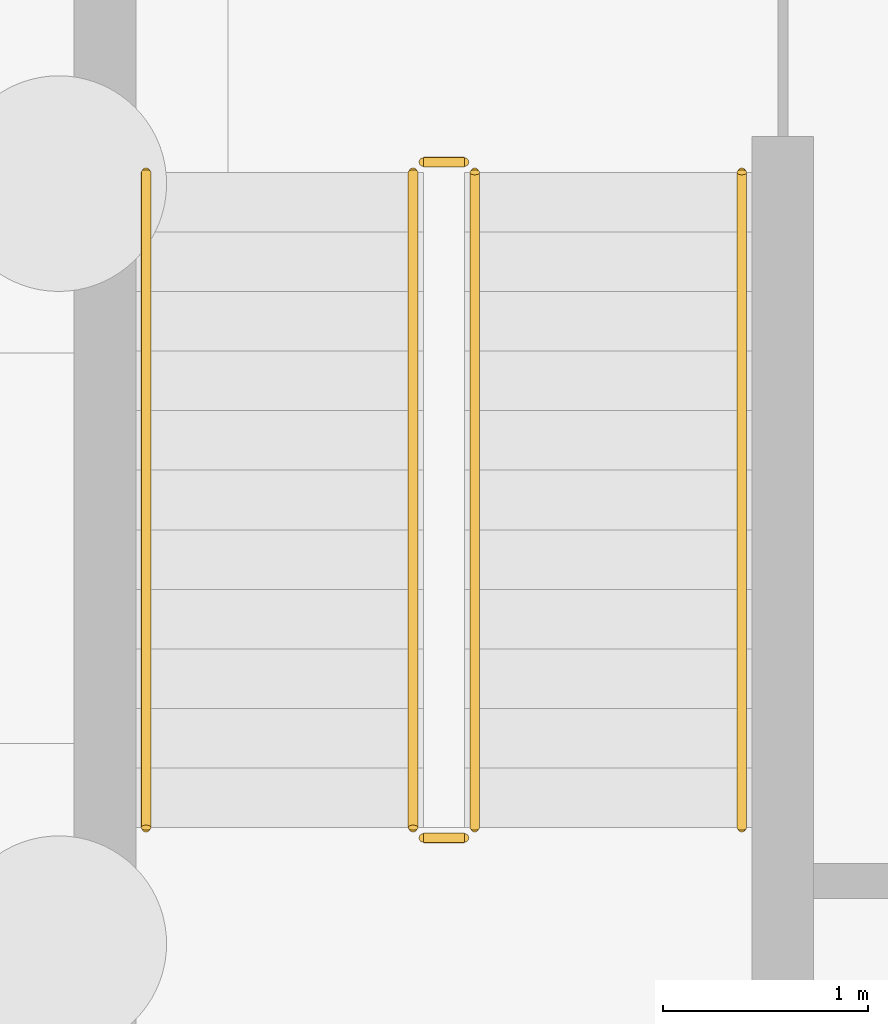
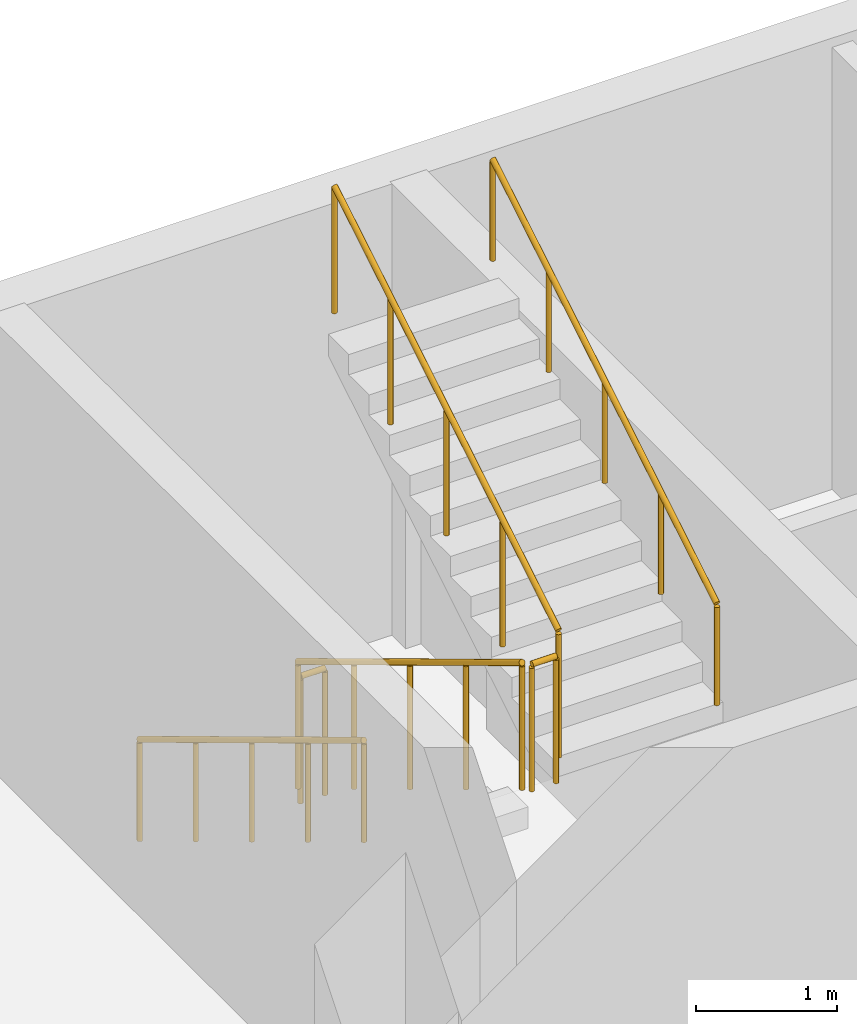
# One storey, part 35 of 36: 6 railings.
"""IFC4 building model written with IfcOpenShell, lengths in metres."""

from ifc_helpers import new_model, si_unit, derived_unit, direction, frame, origin, origin_2d, place, context, subcontext, project, spatial, circle, extrude, material, type_object, element, save


model = new_model("IFC4")

# Units and contexts
model_context = context("Model", 3, precision=1e-05, world=origin(), true_north=direction((0.0, 1.0)))
body_context = subcontext(model_context, "Body", "Model", "MODEL_VIEW")
ifc_project = project(units=[si_unit("LENGTHUNIT", "METRE"), si_unit("AREAUNIT", "SQUARE_METRE"), si_unit("VOLUMEUNIT", "CUBIC_METRE"), si_unit("PLANEANGLEUNIT", "RADIAN"), si_unit("MASSUNIT", "GRAM", prefix="KILO"), derived_unit("THERMALTRANSMITTANCEUNIT", [(si_unit("MASSUNIT", "GRAM", prefix="KILO"), 1), (si_unit("TIMEUNIT", "SECOND"), -3), (si_unit("THERMODYNAMICTEMPERATUREUNIT", "KELVIN"), -1)])], contexts=[model_context])

# Site, building, storey
site_placement = place(None, origin())
site = spatial("IfcSite", under=ifc_project, at=site_placement, CompositionType="ELEMENT")
building_placement = place(site_placement, origin())
building = spatial("IfcBuilding", under=site, at=building_placement, Name="Ochrekiln Boulevard Commons", CompositionType="ELEMENT")
storey_placement = place(building_placement, frame((0.0, 0.0, -4.199951171875)))
storey = spatial("IfcBuildingStorey", under=building, at=storey_placement, Name="B1", CompositionType="ELEMENT", Elevation=-4.199951171875)

# Railings
ifc_material = material(Name="Brushed stainless steel 316 tubular railing", Category="steel")
railing_type_1 = type_object("IfcRailingType", Name="RLG-HDR-900", PredefinedType="HANDRAIL", material=ifc_material)
railing_1_placement = place(storey_placement, frame((157.64990234375, 116.929931640625, 0.175048828125)))
element("IfcRailing", 1, at=railing_1_placement, inside=storey, type_object=railing_type_1, Name="B1 ST-B2 stair handrail 1", PredefinedType="HANDRAIL", context=body_context, shape_type="SweptSolid", body=[
    extrude(circle(Radius=0.02392578125, at=origin_2d()), frame((0.0, 0.0, 0.8759765625), z_axis=(0.0, -0.856206652436, 0.516633495163), x_axis=(1.0, 0.0, 0.0)), (0.0, 0.0, 1.0), 3.7255859375),
    extrude(circle(Radius=0.02099609375, at=origin_2d()), origin(), (0.0, 0.0, 1.0), 0.851806640625),
    extrude(circle(Radius=0.02099609375, at=origin_2d()), frame((0.0, -0.79736328125, 0.481201171875)), (0.0, 0.0, 1.0), 0.851806640625),
    extrude(circle(Radius=0.02099609375, at=origin_2d()), frame((0.0, -1.594970703125, 0.96240234375)), (0.0, 0.0, 1.0), 0.851806640625),
    extrude(circle(Radius=0.02099609375, at=origin_2d()), frame((0.0, -2.392578125, 1.443603515625)), (0.0, 0.0, 1.0), 0.851806640625),
    extrude(circle(Radius=0.02099609375, at=origin_2d()), frame((0.0, -3.18994140625, 1.9248046875)), (0.0, 0.0, 1.0), 0.851806640625),
])
railing_2_placement = place(storey_placement, frame((160.550048828125, 113.739990234375, 2.27490234375)))
element("IfcRailing", 2, at=railing_2_placement, inside=storey, type_object=railing_type_1, Name="B1 ST-B2 stair handrail 2", PredefinedType="HANDRAIL", context=body_context, shape_type="SweptSolid", body=[
    extrude(circle(Radius=0.02392578125, at=origin_2d()), frame((0.0, 0.0, 0.8759765625), z_axis=(0.0, 0.856177665481, 0.516681531633), x_axis=(-1.0, 0.0, 0.0)), (0.0, 0.0, 1.0), 3.725830078125),
    extrude(circle(Radius=0.02099609375, at=origin_2d()), origin(), (0.0, 0.0, 1.0), 0.851806640625),
    extrude(circle(Radius=0.02099609375, at=origin_2d()), frame((0.0, 0.79736328125, 0.481201171875)), (0.0, 0.0, 1.0), 0.851806640625),
    extrude(circle(Radius=0.02099609375, at=origin_2d()), frame((0.0, 1.594970703125, 0.96240234375)), (0.0, 0.0, 1.0), 0.851806640625),
    extrude(circle(Radius=0.02099609375, at=origin_2d()), frame((0.0, 2.392578125, 1.44384765625)), (0.0, 0.0, 1.0), 0.851806640625),
    extrude(circle(Radius=0.02099609375, at=origin_2d()), frame((0.0, 3.18994140625, 1.925048828125)), (0.0, 0.0, 1.0), 0.851806640625),
])
railing_type_2 = type_object("IfcRailingType", Name="RLG-STR-1120", PredefinedType="BALUSTRADE", material=ifc_material)
railing_3_placement = place(storey_placement, frame((158.949951171875, 116.929931640625, 0.175048828125)))
element("IfcRailing", 3, at=railing_3_placement, inside=storey, type_object=railing_type_2, Name="B1 ST-B2 stair guard 1", PredefinedType="BALUSTRADE", context=body_context, shape_type="SweptSolid", body=[
    extrude(circle(Radius=0.02392578125, at=origin_2d()), frame((0.0, 0.0, 1.09619140625), z_axis=(0.0, -0.856206652436, 0.516633495163), x_axis=(1.0, 0.0, 0.0)), (0.0, 0.0, 1.0), 3.7255859375),
    extrude(circle(Radius=0.02099609375, at=origin_2d()), origin(), (0.0, 0.0, 1.0), 1.072021484375),
    extrude(circle(Radius=0.02099609375, at=origin_2d()), frame((0.0, -0.79736328125, 0.481201171875)), (0.0, 0.0, 1.0), 1.072021484375),
    extrude(circle(Radius=0.02099609375, at=origin_2d()), frame((0.0, -1.594970703125, 0.96240234375)), (0.0, 0.0, 1.0), 1.072021484375),
    extrude(circle(Radius=0.02099609375, at=origin_2d()), frame((0.0, -2.392578125, 1.443603515625)), (0.0, 0.0, 1.0), 1.072021484375),
    extrude(circle(Radius=0.02099609375, at=origin_2d()), frame((0.0, -3.18994140625, 1.9248046875)), (0.0, 0.0, 1.0), 1.072021484375),
])
railing_4_placement = place(storey_placement, frame((159.0, 113.68994140625, 2.099853515625)))
element("IfcRailing", 4, at=railing_4_placement, inside=storey, type_object=railing_type_2, Name="B1 ST-B2 stair guard 2", PredefinedType="BALUSTRADE", context=body_context, shape_type="SweptSolid", body=[
    extrude(circle(Radius=0.02392578125, at=origin_2d()), frame((0.0, 0.0, 1.09619140625), z_axis=(1.0, 0.0, 0.0), x_axis=(0.0, 1.0, 0.0)), (0.0, 0.0, 1.0), 0.199951171875),
    extrude(circle(Radius=0.02099609375, at=origin_2d()), origin(), (0.0, 0.0, 1.0), 1.072021484375),
    extrude(circle(Radius=0.02099609375, at=origin_2d()), frame((0.199951171875, 0.0, 0.0)), (0.0, 0.0, 1.0), 1.072021484375),
])
railing_5_placement = place(storey_placement, frame((159.25, 113.739990234375, 2.27490234375)))
element("IfcRailing", 5, at=railing_5_placement, inside=storey, type_object=railing_type_2, Name="B1 ST-B2 stair guard 3", PredefinedType="BALUSTRADE", context=body_context, shape_type="SweptSolid", body=[
    extrude(circle(Radius=0.02392578125, at=origin_2d()), frame((0.0, 0.0, 1.09619140625), z_axis=(0.0, 0.856177665481, 0.516681531633), x_axis=(-1.0, 0.0, 0.0)), (0.0, 0.0, 1.0), 3.725830078125),
    extrude(circle(Radius=0.02099609375, at=origin_2d()), origin(), (0.0, 0.0, 1.0), 1.072021484375),
    extrude(circle(Radius=0.02099609375, at=origin_2d()), frame((0.0, 0.79736328125, 0.481201171875)), (0.0, 0.0, 1.0), 1.072021484375),
    extrude(circle(Radius=0.02099609375, at=origin_2d()), frame((0.0, 1.594970703125, 0.96240234375)), (0.0, 0.0, 1.0), 1.072021484375),
    extrude(circle(Radius=0.02099609375, at=origin_2d()), frame((0.0, 2.392578125, 1.44384765625)), (0.0, 0.0, 1.0), 1.072021484375),
    extrude(circle(Radius=0.02099609375, at=origin_2d()), frame((0.0, 3.18994140625, 1.925048828125)), (0.0, 0.0, 1.0), 1.072021484375),
])
railing_6_placement = place(storey_placement, frame((159.0, 116.97998046875, 0.0)))
element("IfcRailing", 6, at=railing_6_placement, inside=storey, type_object=railing_type_2, Name="B1 ST-B2 stair guard 4", PredefinedType="BALUSTRADE", context=body_context, shape_type="SweptSolid", body=[
    extrude(circle(Radius=0.02392578125, at=origin_2d()), frame((0.0, 0.0, 1.09619140625), z_axis=(1.0, 0.0, 0.0), x_axis=(0.0, 1.0, 0.0)), (0.0, 0.0, 1.0), 0.199951171875),
    extrude(circle(Radius=0.02099609375, at=origin_2d()), origin(), (0.0, 0.0, 1.0), 1.072021484375),
    extrude(circle(Radius=0.02099609375, at=origin_2d()), frame((0.199951171875, 0.0, 0.0)), (0.0, 0.0, 1.0), 1.072021484375),
])

save(model, "model.ifc")
